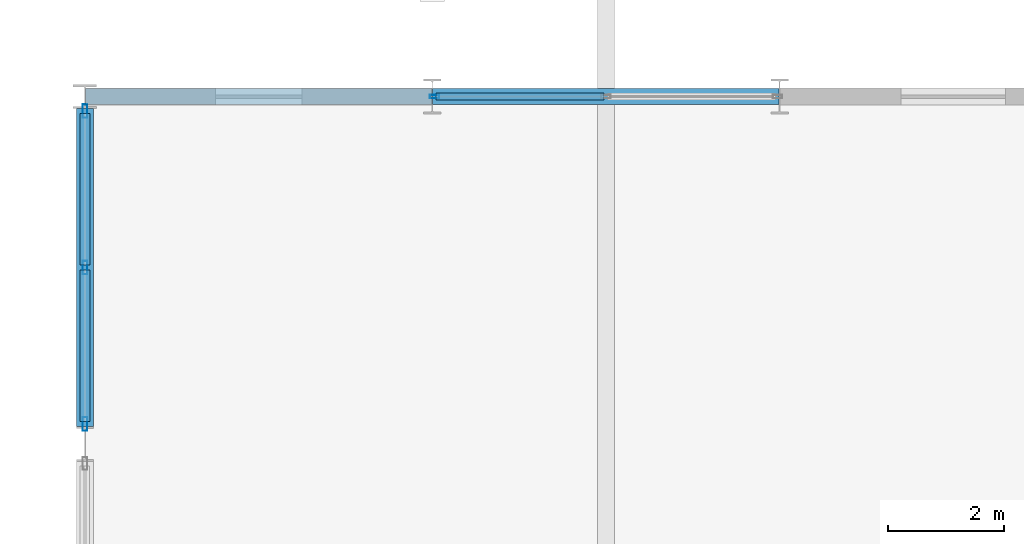
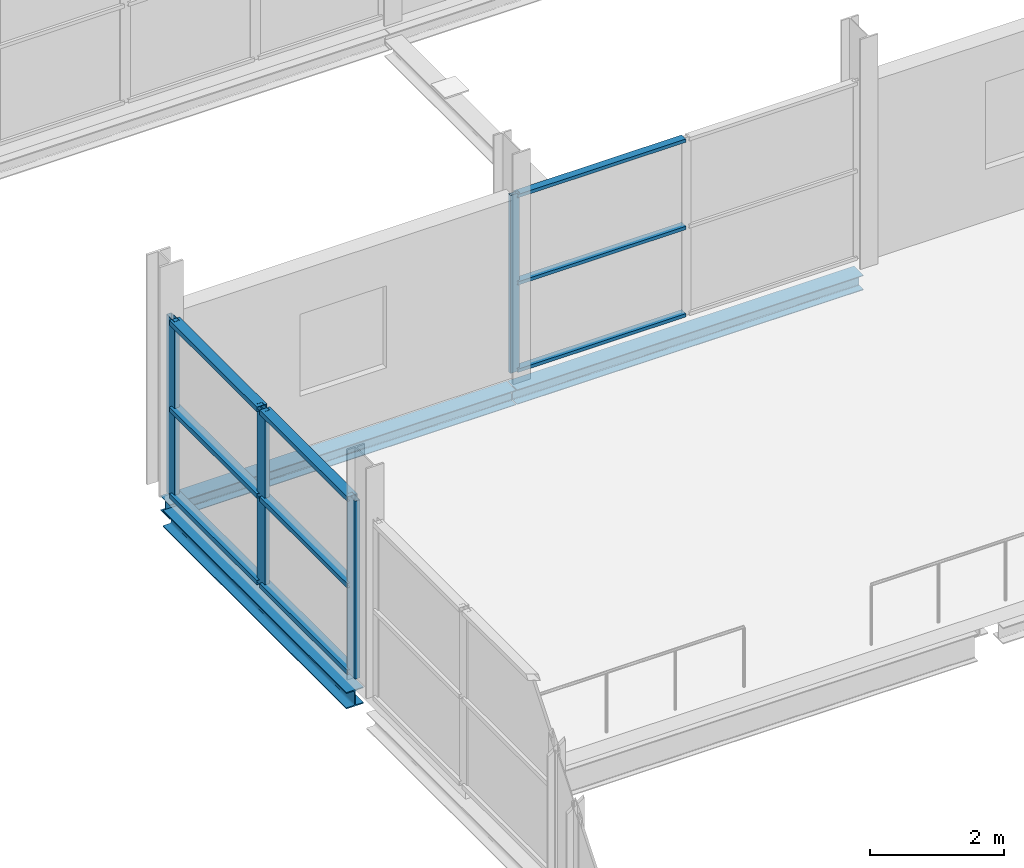
# One storey, part 36 of 135: 13 members, 3 beams, 2 elements without a shape of their own.
"""IFC4 building model written with IfcOpenShell, lengths in metres."""

from ifc_helpers import new_model, si_unit, direction, frame, origin, origin_2d, place, context, subcontext, project, spatial, hollow_rectangle, i_section, extrude, material, layer, layer_set, material_profile, profile_set, type_object, element, aggregate, save


model = new_model("IFC4")

# Units and contexts
model_context = context("Model", 3, precision=1e-05, world=origin(), true_north=direction((0.0, 1.0)))
body_context = subcontext(model_context, "Body", "Model", "MODEL_VIEW")
ifc_project = project(units=[si_unit("LENGTHUNIT", "METRE"), si_unit("AREAUNIT", "SQUARE_METRE"), si_unit("VOLUMEUNIT", "CUBIC_METRE"), si_unit("PLANEANGLEUNIT", "RADIAN"), si_unit("MASSUNIT", "GRAM", prefix="KILO")], contexts=[model_context])

# Site, building, storey
site_placement = place(None, origin())
site = spatial("IfcSite", under=ifc_project, at=site_placement, CompositionType="ELEMENT")
building_placement = place(site_placement, origin())
building = spatial("IfcBuilding", under=site, at=building_placement, Name="Deido Ridge Mobility Hub", CompositionType="ELEMENT")
storey_placement = place(building_placement, frame((0.0, 0.0, 4.199951171875)))
storey = spatial("IfcBuildingStorey", under=building, at=storey_placement, Name="L01", CompositionType="ELEMENT", Elevation=4.199951171875)

# Curtain wall, member
ifc_material_1 = material(Name="Anodised aluminium EN AW-6063 T6", Category="aluminium")
ifc_layer_1 = layer(ifc_material_1, 0.14404296875, Name="Anodised aluminium EN AW-6063 T6")
ifc_layer_set_1 = layer_set([ifc_layer_1], Name="Anodised aluminium EN AW-6063 T6")
curtain_wall_type_1 = type_object("IfcCurtainWallType", Name="CW-GS-2", PredefinedType="USERDEFINED", material=ifc_layer_set_1)
curtain_wall_1_placement = place(storey_placement, origin())
curtain_wall_1 = element("IfcCurtainWall", 1, at=curtain_wall_1_placement, inside=storey, type_object=curtain_wall_type_1, Name="Unitised curtain wall GS2", ObjectType="GLAZED SCREEN", PredefinedType="USERDEFINED")
ifc_material_profile_1 = material_profile(ifc_material_1, hollow_rectangle(XDim=0.06005859375, YDim=0.159912109375, WallThickness=0.00390625, at=origin_2d()), Name="RHS 60x160x4")
ifc_profile_set_1 = profile_set([ifc_material_profile_1], Name="Anodised aluminium EN AW-6063 T6")
member_type_1 = type_object("IfcMemberType", Name="MEM-MUL-60X160", PredefinedType="MULLION", material=ifc_profile_set_1)
member_1_placement = place(storey_placement, frame((6.03759765625, 36.0, 0.0), z_axis=(0.0, 0.0, 1.0), x_axis=(0.0, 1.0, 0.0)))
member_1 = element("IfcMember", 2, at=member_1_placement, type_object=member_type_1, Name="GS2 mullion 1", PredefinedType="MULLION", context=body_context, shape_type="SweptSolid", body=[
    extrude(hollow_rectangle(XDim=0.06005859375, YDim=0.159912109375, WallThickness=0.00390625, at=origin_2d()), origin(), (0.0, 0.0, 1.0), 3.25),
])

# Curtain wall, members
ifc_layer_2 = layer(ifc_material_1, 0.1650390625, Name="Anodised aluminium EN AW-6063 T6")
ifc_layer_set_2 = layer_set([ifc_layer_2], Name="Anodised aluminium EN AW-6063 T6")
curtain_wall_type_2 = type_object("IfcCurtainWallType", Name="CW-UF-1", PredefinedType="USERDEFINED", material=ifc_layer_set_2)
curtain_wall_2_placement = place(storey_placement, origin())
curtain_wall_2 = element("IfcCurtainWall", 3, at=curtain_wall_2_placement, inside=storey, type_object=curtain_wall_type_2, Name="Unitised curtain wall CW1", ObjectType="UNITISED FACADE", PredefinedType="USERDEFINED")
ifc_material_profile_2 = material_profile(ifc_material_1, hollow_rectangle(XDim=0.0849609375, YDim=0.235107421875, WallThickness=0.00390625, at=origin_2d()), Name="RHS 85x235x4")
ifc_profile_set_2 = profile_set([ifc_material_profile_2], Name="Anodised aluminium EN AW-6063 T6")
member_type_2 = type_object("IfcMemberType", Name="MEM-MUL-85X235", PredefinedType="MULLION", material=ifc_profile_set_2)
member_2_placement = place(storey_placement, frame((0.0, 30.342529296875, 0.0), z_axis=(0.0, 0.0, 1.0), x_axis=(-1.0, 0.0, 0.0)))
member_2 = element("IfcMember", 4, at=member_2_placement, type_object=member_type_2, Name="CW1 mullion 1", PredefinedType="MULLION", context=body_context, shape_type="SweptSolid", body=[
    extrude(hollow_rectangle(XDim=0.0849609375, YDim=0.235107421875, WallThickness=0.00390625, at=origin_2d()), origin(), (0.0, 0.0, 1.0), 3.25),
])
member_3_placement = place(storey_placement, frame((0.0, 33.0458984375, 0.0), z_axis=(0.0, 0.0, 1.0), x_axis=(-1.0, 0.0, 0.0)))
member_3 = element("IfcMember", 5, at=member_3_placement, type_object=member_type_2, Name="CW1 mullion 2", PredefinedType="MULLION", context=body_context, shape_type="SweptSolid", body=[
    extrude(hollow_rectangle(XDim=0.0849609375, YDim=0.235107421875, WallThickness=0.00390625, at=origin_2d()), origin(), (0.0, 0.0, 1.0), 3.25),
])
member_4_placement = place(storey_placement, frame((0.0, 35.74951171875, 0.0), z_axis=(0.0, 0.0, 1.0), x_axis=(-1.0, 0.0, 0.0)))
member_4 = element("IfcMember", 6, at=member_4_placement, type_object=member_type_2, Name="CW1 mullion 3", PredefinedType="MULLION", context=body_context, shape_type="SweptSolid", body=[
    extrude(hollow_rectangle(XDim=0.0849609375, YDim=0.235107421875, WallThickness=0.00390625, at=origin_2d()), origin(), (0.0, 0.0, 1.0), 3.25),
])

# Member
ifc_material_profile_3 = material_profile(ifc_material_1, hollow_rectangle(XDim=0.125, YDim=0.06005859375, WallThickness=0.00390625, at=origin_2d()), Name="RHS 125x60x4")
ifc_profile_set_3 = profile_set([ifc_material_profile_3], Name="Anodised aluminium EN AW-6063 T6")
member_type_3 = type_object("IfcMemberType", Name="MEM-TRN-125X60", PredefinedType="USERDEFINED", material=ifc_profile_set_3)
member_5_placement = place(storey_placement, frame((6.067626953125, 36.0, 0.030029296875), z_axis=(1.0, 0.0, 0.0), x_axis=(0.0, 1.0, 0.0)))
member_5 = element("IfcMember", 7, at=member_5_placement, type_object=member_type_3, Name="GS2 transom 1.1", ObjectType="TRANSOM", PredefinedType="USERDEFINED", context=body_context, shape_type="SweptSolid", body=[
    extrude(hollow_rectangle(XDim=0.125, YDim=0.06005859375, WallThickness=0.00390625, at=origin_2d()), origin(), (0.0, 0.0, 1.0), 2.90234375),
])

member_6_placement = place(storey_placement, frame((6.067626953125, 36.0, 1.625), z_axis=(1.0, 0.0, 0.0), x_axis=(0.0, 1.0, 0.0)))
member_6 = element("IfcMember", 8, at=member_6_placement, type_object=member_type_3, Name="GS2 transom 1.2", ObjectType="TRANSOM", PredefinedType="USERDEFINED", context=body_context, shape_type="SweptSolid", body=[
    extrude(hollow_rectangle(XDim=0.125, YDim=0.06005859375, WallThickness=0.00390625, at=origin_2d()), origin(), (0.0, 0.0, 1.0), 2.90234375),
])

member_7_placement = place(storey_placement, frame((6.067626953125, 36.0, 3.219970703125), z_axis=(1.0, 0.0, 0.0), x_axis=(0.0, 1.0, 0.0)))
member_7 = element("IfcMember", 9, at=member_7_placement, type_object=member_type_3, Name="GS2 transom 1.3", ObjectType="TRANSOM", PredefinedType="USERDEFINED", context=body_context, shape_type="SweptSolid", body=[
    extrude(hollow_rectangle(XDim=0.125, YDim=0.06005859375, WallThickness=0.00390625, at=origin_2d()), origin(), (0.0, 0.0, 1.0), 2.90234375),
])

aggregate(curtain_wall_1, [member_1, member_5, member_6, member_7])

ifc_material_profile_4 = material_profile(ifc_material_1, hollow_rectangle(XDim=0.175048828125, YDim=0.0849609375, WallThickness=0.00390625, at=origin_2d()), Name="RHS 175x85x4")
ifc_profile_set_4 = profile_set([ifc_material_profile_4], Name="Anodised aluminium EN AW-6063 T6")
member_type_4 = type_object("IfcMemberType", Name="MEM-TRN-175X85", PredefinedType="USERDEFINED", material=ifc_profile_set_4)
member_8_placement = place(storey_placement, frame((0.0, 30.385009765625, 0.04248046875), z_axis=(0.0, 1.0, 0.0), x_axis=(-1.0, 0.0, 0.0)))
member_8 = element("IfcMember", 10, at=member_8_placement, type_object=member_type_4, Name="CW1 transom 1.1", ObjectType="TRANSOM", PredefinedType="USERDEFINED", context=body_context, shape_type="SweptSolid", body=[
    extrude(hollow_rectangle(XDim=0.175048828125, YDim=0.0849609375, WallThickness=0.00390625, at=origin_2d()), origin(), (0.0, 0.0, 1.0), 2.618408203125),
])

member_9_placement = place(storey_placement, frame((0.0, 30.385009765625, 1.625), z_axis=(0.0, 1.0, 0.0), x_axis=(-1.0, 0.0, 0.0)))
member_9 = element("IfcMember", 11, at=member_9_placement, type_object=member_type_4, Name="CW1 transom 1.2", ObjectType="TRANSOM", PredefinedType="USERDEFINED", context=body_context, shape_type="SweptSolid", body=[
    extrude(hollow_rectangle(XDim=0.175048828125, YDim=0.0849609375, WallThickness=0.00390625, at=origin_2d()), origin(), (0.0, 0.0, 1.0), 2.618408203125),
])

member_10_placement = place(storey_placement, frame((0.0, 30.385009765625, 3.20751953125), z_axis=(0.0, 1.0, 0.0), x_axis=(-1.0, 0.0, 0.0)))
member_10 = element("IfcMember", 12, at=member_10_placement, type_object=member_type_4, Name="CW1 transom 1.3", ObjectType="TRANSOM", PredefinedType="USERDEFINED", context=body_context, shape_type="SweptSolid", body=[
    extrude(hollow_rectangle(XDim=0.175048828125, YDim=0.0849609375, WallThickness=0.00390625, at=origin_2d()), origin(), (0.0, 0.0, 1.0), 2.618408203125),
])

member_11_placement = place(storey_placement, frame((0.0, 33.08837890625, 0.04248046875), z_axis=(0.0, 1.0, 0.0), x_axis=(-1.0, 0.0, 0.0)))
member_11 = element("IfcMember", 13, at=member_11_placement, type_object=member_type_4, Name="CW1 transom 2.1", ObjectType="TRANSOM", PredefinedType="USERDEFINED", context=body_context, shape_type="SweptSolid", body=[
    extrude(hollow_rectangle(XDim=0.175048828125, YDim=0.0849609375, WallThickness=0.00390625, at=origin_2d()), origin(), (0.0, 0.0, 1.0), 2.61865234375),
])

member_12_placement = place(storey_placement, frame((0.0, 33.08837890625, 1.625), z_axis=(0.0, 1.0, 0.0), x_axis=(-1.0, 0.0, 0.0)))
member_12 = element("IfcMember", 14, at=member_12_placement, type_object=member_type_4, Name="CW1 transom 2.2", ObjectType="TRANSOM", PredefinedType="USERDEFINED", context=body_context, shape_type="SweptSolid", body=[
    extrude(hollow_rectangle(XDim=0.175048828125, YDim=0.0849609375, WallThickness=0.00390625, at=origin_2d()), origin(), (0.0, 0.0, 1.0), 2.61865234375),
])

member_13_placement = place(storey_placement, frame((0.0, 33.08837890625, 3.20751953125), z_axis=(0.0, 1.0, 0.0), x_axis=(-1.0, 0.0, 0.0)))
member_13 = element("IfcMember", 15, at=member_13_placement, type_object=member_type_4, Name="CW1 transom 2.3", ObjectType="TRANSOM", PredefinedType="USERDEFINED", context=body_context, shape_type="SweptSolid", body=[
    extrude(hollow_rectangle(XDim=0.175048828125, YDim=0.0849609375, WallThickness=0.00390625, at=origin_2d()), origin(), (0.0, 0.0, 1.0), 2.61865234375),
])

aggregate(curtain_wall_2, [member_2, member_3, member_4, member_8, member_9, member_10, member_11, member_12, member_13])

# Beams
ifc_material_2 = material(Name="Steel S355J2 EN 10025-2", Category="steel")
ifc_material_profile_5 = material_profile(ifc_material_2, i_section(OverallWidth=0.280029296875, OverallDepth=0.27001953125, WebThickness=0.008056640625, FlangeThickness=0.012939453125, FilletRadius=0.02392578125, at=origin_2d()), Name="HEA 280")
ifc_profile_set_5 = profile_set([ifc_material_profile_5], Name="Steel S355J2 EN 10025-2")
beam_type_1 = type_object("IfcBeamType", Name="SPD-HEA280", PredefinedType="SPANDREL", material=ifc_profile_set_5)
beam_1_placement = place(storey_placement, frame((0.011962890625, 36.0, -0.385009765625), z_axis=(1.0, 0.0, 0.0), x_axis=(0.0, 1.0, 0.0)))
element("IfcBeam", 16, at=beam_1_placement, inside=storey, type_object=beam_type_1, Name="Floor beam SP2", PredefinedType="SPANDREL", context=body_context, shape_type="SweptSolid", body=[
    extrude(i_section(OverallWidth=0.280029296875, OverallDepth=0.27001953125, WebThickness=0.008056640625, FlangeThickness=0.012939453125, FilletRadius=0.02392578125, at=origin_2d()), origin(), (0.0, 0.0, 1.0), 5.980224609375),
])
beam_2_placement = place(storey_placement, frame((6.0078125, 36.0, -0.385009765625), z_axis=(1.0, 0.0, 0.0), x_axis=(0.0, 1.0, 0.0)))
element("IfcBeam", 17, at=beam_2_placement, inside=storey, type_object=beam_type_1, Name="Floor beam SP2", PredefinedType="SPANDREL", context=body_context, shape_type="SweptSolid", body=[
    extrude(i_section(OverallWidth=0.280029296875, OverallDepth=0.27001953125, WebThickness=0.008056640625, FlangeThickness=0.012939453125, FilletRadius=0.02392578125, at=origin_2d()), origin(), (0.0, 0.0, 1.0), 5.984375),
])
ifc_material_profile_6 = material_profile(ifc_material_2, i_section(OverallWidth=0.300048828125, OverallDepth=0.300048828125, WebThickness=0.010986328125, FlangeThickness=0.01904296875, FilletRadius=0.027099609375, at=origin_2d()), Name="HEB 300")
ifc_profile_set_6 = profile_set([ifc_material_profile_6], Name="Steel S355J2 EN 10025-2")
beam_type_2 = type_object("IfcBeamType", Name="SPD-HEB300", PredefinedType="SPANDREL", material=ifc_profile_set_6)
beam_3_placement = place(storey_placement, frame((0.0, 30.300048828125, -0.39990234375), z_axis=(0.0, 1.0, 0.0), x_axis=(-1.0, 0.0, 0.0)))
element("IfcBeam", 18, at=beam_3_placement, inside=storey, type_object=beam_type_2, Name="Floor beam SP1", PredefinedType="SPANDREL", context=body_context, shape_type="SweptSolid", body=[
    extrude(i_section(OverallWidth=0.300048828125, OverallDepth=0.300048828125, WebThickness=0.010986328125, FlangeThickness=0.01904296875, FilletRadius=0.027099609375, at=origin_2d()), origin(), (0.0, 0.0, 1.0), 5.491943359375),
])

save(model, "model.ifc")
